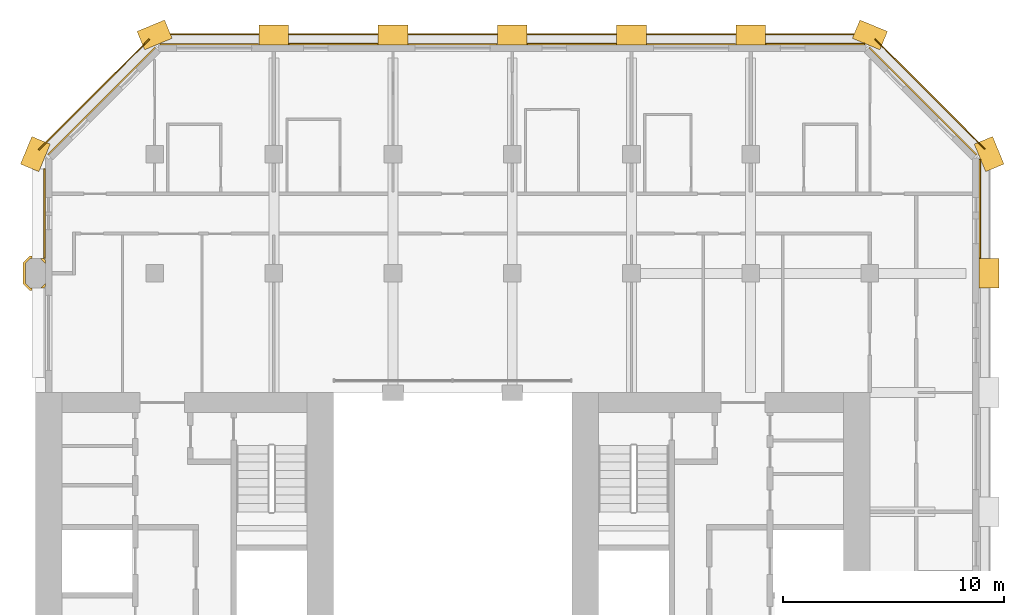
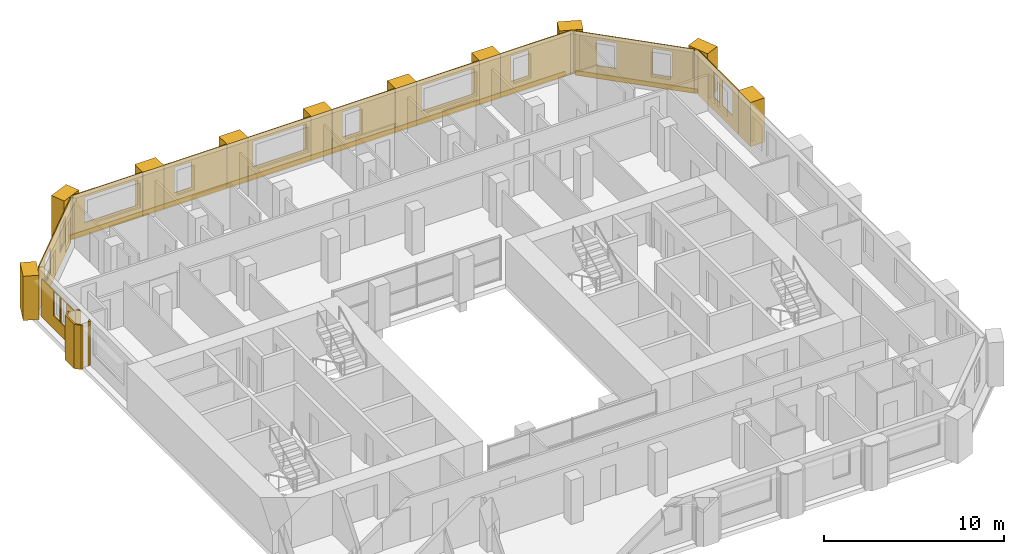
# One storey, part 12 of 12: 26 coverings.
"""IFC4 building model written with IfcOpenShell, lengths in metres."""

from ifc_helpers import new_model, si_unit, direction, frame, frame_2d, origin, place, context, subcontext, project, spatial, polyline, rectangle, outline, extrude, material, layer, layer_set, type_object, element, save


model = new_model("IFC4")

# Units and contexts
model_context = context("Model", 3, precision=1e-05, world=origin(), true_north=direction((0.0, 1.0)))
body_context = subcontext(model_context, "Body", "Model", "MODEL_VIEW")
ifc_project = project(units=[si_unit("LENGTHUNIT", "METRE"), si_unit("AREAUNIT", "SQUARE_METRE"), si_unit("VOLUMEUNIT", "CUBIC_METRE"), si_unit("PLANEANGLEUNIT", "RADIAN"), si_unit("MASSUNIT", "GRAM", prefix="KILO")], contexts=[model_context])

# Site, building, storey
site_placement = place(None, origin())
site = spatial("IfcSite", under=ifc_project, at=site_placement, CompositionType="ELEMENT")
building_placement = place(site_placement, origin())
building = spatial("IfcBuilding", under=site, at=building_placement, Name="Tabaq Tower and Sports Hall", CompositionType="ELEMENT")
storey_placement = place(building_placement, frame((0.0, 0.0, 190.60009765625)))
storey = spatial("IfcBuildingStorey", under=building, at=storey_placement, Name="L46", CompositionType="ELEMENT", Elevation=190.60009765625)

# Coverings
ifc_material_1 = material(Name="Precast concrete C60/75", Category="concrete")
ifc_layer_1 = layer(ifc_material_1, 0.10009765625)
ifc_layer_set_1 = layer_set([ifc_layer_1], Name="Column cladding 100")
covering_type_1 = type_object("IfcCoveringType", Name="Column cladding 100", PredefinedType="CLADDING", material=ifc_layer_set_1)
covering_1_placement = place(storey_placement, origin())
element("IfcCovering", 1, at=covering_1_placement, inside=storey, type_object=covering_type_1, Name="Column cladding L46 PC-2H-H2", PredefinedType="CLADDING", context=body_context, shape_type="SweptSolid", body=[
    extrude(outline(polyline([(5.1337890625, 37.025634765625), (4.8505859375, 37.308837890625), (4.8505859375, 38.291259765625), (5.1337890625, 38.574462890625), (5.24951171875, 38.574462890625), (5.24951171875, 38.4755859375), (5.1748046875, 38.4755859375), (4.949462890625, 38.250244140625), (4.949462890625, 37.349853515625), (5.1748046875, 37.12451171875), (5.24951171875, 37.12451171875), (5.24951171875, 37.025634765625), (5.1337890625, 37.025634765625)])), origin(), (0.0, 0.0, 1.0), 3.0),
])
covering_2_placement = place(storey_placement, origin())
element("IfcCovering", 2, at=covering_2_placement, inside=storey, type_object=covering_type_1, Name="Column cladding L46 PC-2H-H2 2", PredefinedType="CLADDING", context=body_context, shape_type="SweptSolid", body=[
    extrude(outline(polyline([(5.766357421875, 37.125244140625), (5.625732421875, 37.125244140625), (5.849609375, 37.349365234375), (5.849609375, 37.208740234375), (5.766357421875, 37.125244140625)])), origin(), (0.0, 0.0, 1.0), 3.0),
])
covering_3_placement = place(storey_placement, origin())
element("IfcCovering", 3, at=covering_3_placement, inside=storey, type_object=covering_type_1, Name="Column cladding L46 PC-2H-H2 3", PredefinedType="CLADDING", context=body_context, shape_type="SweptSolid", body=[
    extrude(outline(polyline([(5.62646484375, 38.474365234375), (5.76611328125, 38.474365234375), (5.849365234375, 38.39111328125), (5.849365234375, 38.25146484375), (5.62646484375, 38.474365234375)])), origin(), (0.0, 0.0, 1.0), 3.0),
])
ifc_material_2 = material(Name="Precast concrete C60/75", Category="concrete")
ifc_layer_2 = layer(ifc_material_2, 0.06005859375)
ifc_layer_set_2 = layer_set([ifc_layer_2], Name="Edge beam cladding 60")
covering_type_2 = type_object("IfcCoveringType", Name="Edge beam cladding 60", PredefinedType="CLADDING", material=ifc_layer_set_2)
covering_4_placement = place(storey_placement, frame((48.41015625, 43.432373046875, -0.300048828125), z_axis=(0.0, 0.0, 1.0), x_axis=(-0.707106781187, 0.707106781187, 0.0)))
element("IfcCovering", 4, at=covering_4_placement, inside=storey, type_object=covering_type_2, Name="Edge beam cladding L46 3", PredefinedType="CLADDING", context=body_context, shape_type="SweptSolid", body=[
    extrude(rectangle(XDim=7.03955078125, YDim=0.06005859375, at=frame_2d((3.519775390625, 0.0))), origin(), (0.0, 0.0, 1.0), 0.300048828125),
])
covering_5_placement = place(storey_placement, frame((42.9013671875, 48.6298828125, -0.300048828125), z_axis=(0.0, 0.0, 1.0), x_axis=(-1.0, 0.0, 0.0)))
element("IfcCovering", 5, at=covering_5_placement, inside=storey, type_object=covering_type_2, Name="Edge beam cladding L46 4", PredefinedType="CLADDING", context=body_context, shape_type="SweptSolid", body=[
    extrude(rectangle(XDim=31.802734375, YDim=0.06005859375, at=frame_2d((15.9013671875, 0.0))), origin(), (0.0, 0.0, 1.0), 0.300048828125),
])
covering_6_placement = place(storey_placement, frame((10.567626953125, 48.41015625, -0.300048828125), z_axis=(0.0, 0.0, 1.0), x_axis=(-0.707089559252, -0.707124002701, 0.0)))
element("IfcCovering", 6, at=covering_6_placement, inside=storey, type_object=covering_type_2, Name="Edge beam cladding L46 5", PredefinedType="CLADDING", context=body_context, shape_type="SweptSolid", body=[
    extrude(rectangle(XDim=7.088134765625, YDim=0.06005859375, at=frame_2d((3.5439453125, 0.0))), origin(), (0.0, 0.0, 1.0), 0.300048828125),
])
ifc_material_3 = material(Name="White precast concrete C60/75", Category="concrete")
covering_type_3 = type_object("IfcCoveringType", Name="Pier cladding hung 1350x900", PredefinedType="CLADDING", material=ifc_material_3)
for number, where, z_axis, x_axis, name in (
    (7, (5.658203125, 43.82373046875, 0.0), (0.0, 0.0, 1.0), (-0.382649923473, -0.923893411637, 0.0), "Hung pier cladding 1/8"),
    (8, (11.423583984375, 48.8583984375, 0.0), (0.0, 0.0, 1.0), (-0.923893411637, -0.382649923473, 0.0), "Hung pier cladding 2/9"),
    (9, (16.875, 48.60009765625, 0.0), (0.0, 0.0, 1.0), (-1.0, 0.0, 0.0), "Hung pier cladding 3/9"),
):
    element("IfcCovering", number, at=place(storey_placement, frame(where, z_axis=z_axis, x_axis=x_axis)), inside=storey, type_object=covering_type_3, Name=name, PredefinedType="CLADDING", context=body_context, shape_type="SweptSolid", body=[
        extrude(rectangle(XDim=1.35009765625, YDim=0.89990234375, at=frame_2d((0.675048828125, 0.0))), origin(), (0.0, 0.0, 1.0), 3.0),
    ])
covering_7_placement = place(storey_placement, frame((22.27490234375, 48.60009765625, 0.0), z_axis=(0.0, 0.0, 1.0), x_axis=(-1.0, 0.0, 0.0)))
element("IfcCovering", 10, at=covering_7_placement, inside=storey, type_object=covering_type_3, Name="Hung pier cladding 4/9", PredefinedType="CLADDING", context=body_context, shape_type="SweptSolid", body=[
    extrude(rectangle(XDim=1.349853515625, YDim=0.89990234375, at=frame_2d((0.6748046875, 0.0))), origin(), (0.0, 0.0, 1.0), 3.0),
])
covering_8_placement = place(storey_placement, frame((27.675048828125, 48.60009765625, 0.0), z_axis=(0.0, 0.0, 1.0), x_axis=(-1.0, 0.0, 0.0)))
element("IfcCovering", 11, at=covering_8_placement, inside=storey, type_object=covering_type_3, Name="Hung pier cladding 5/9", PredefinedType="CLADDING", context=body_context, shape_type="SweptSolid", body=[
    extrude(rectangle(XDim=1.35009765625, YDim=0.89990234375, at=frame_2d((0.675048828125, 0.0))), origin(), (0.0, 0.0, 1.0), 3.0),
])
covering_9_placement = place(storey_placement, frame((33.074951171875, 48.60009765625, 0.0), z_axis=(0.0, 0.0, 1.0), x_axis=(-1.0, 0.0, 0.0)))
element("IfcCovering", 12, at=covering_9_placement, inside=storey, type_object=covering_type_3, Name="Hung pier cladding 6/9", PredefinedType="CLADDING", context=body_context, shape_type="SweptSolid", body=[
    extrude(rectangle(XDim=1.349853515625, YDim=0.89990234375, at=frame_2d((0.6748046875, 0.0))), origin(), (0.0, 0.0, 1.0), 3.0),
])
for number, where, z_axis, x_axis, name in (
    (13, (38.47509765625, 48.60009765625, 0.0), (0.0, 0.0, 1.0), (-1.0, 0.0, 0.0), "Hung pier cladding 7/9"),
    (14, (43.82373046875, 48.341796875, 0.0), (0.0, 0.0, 1.0), (-0.923893411637, 0.382649923473, 0.0), "Hung pier cladding 8/9"),
    (15, (48.60009765625, 37.125, 0.0), (0.0, 0.0, 1.0), (0.0, 1.0, 0.0), "Hung pier cladding 9/7"),
    (16, (48.8583984375, 42.576416015625, 0.0), (0.0, 0.0, 1.0), (-0.382649923473, 0.923893411637, 0.0), "Hung pier cladding 9/8"),
):
    element("IfcCovering", number, at=place(storey_placement, frame(where, z_axis=z_axis, x_axis=x_axis)), inside=storey, type_object=covering_type_3, Name=name, PredefinedType="CLADDING", context=body_context, shape_type="SweptSolid", body=[
        extrude(rectangle(XDim=1.35009765625, YDim=0.89990234375, at=frame_2d((0.675048828125, 0.0))), origin(), (0.0, 0.0, 1.0), 3.0),
    ])
ifc_material_4 = material(Name="Precast concrete C60/75", Category="concrete")
ifc_layer_3 = layer(ifc_material_4, 0.06005859375)
ifc_layer_set_3 = layer_set([ifc_layer_3], Name="White precast cladding panel 60 C60/75")
covering_type_4 = type_object("IfcCoveringType", Name="White precast cladding panel 60 C60/75", PredefinedType="CLADDING", material=ifc_layer_set_3)
covering_10_placement = place(storey_placement, frame((48.179931640625, 38.485107421875, 0.0), z_axis=(0.0, 0.0, 1.0), x_axis=(0.0, 1.0, 0.0)))
element("IfcCovering", 17, at=covering_10_placement, inside=storey, type_object=covering_type_4, Name="White precast cladding panel L46 wall02 6", PredefinedType="CLADDING", context=body_context, shape_type="SweptSolid", body=[
    extrude(outline(polyline([(0.0, 0.0), (4.4716796875, 0.0), (4.4716796875, 3.0), (0.0, 3.0), (0.0, 0.0)]), holes=[polyline([(0.655029296875, 2.60986328125), (1.77490234375, 2.60986328125), (1.77490234375, 0.889892578125), (0.655029296875, 0.889892578125), (0.655029296875, 2.60986328125)]), polyline([(2.080078125, 2.60986328125), (2.75, 2.60986328125), (2.75, 0.889892578125), (2.080078125, 0.889892578125), (2.080078125, 2.60986328125)])]), frame((0.0, 0.030029296875, 0.0), z_axis=(0.0, -1.0, 0.0), x_axis=(1.0, 0.0, 0.0)), (0.0, 0.0, 1.0), 0.06005859375),
])
covering_11_placement = place(storey_placement, frame((48.0283203125, 43.177734375, 0.0), z_axis=(0.0, 0.0, 1.0), x_axis=(-0.707106781187, 0.707106781187, 0.0)))
element("IfcCovering", 18, at=covering_11_placement, inside=storey, type_object=covering_type_4, Name="White precast cladding panel L46 wall03", PredefinedType="CLADDING", context=body_context, shape_type="SweptSolid", body=[
    extrude(outline(polyline([(0.0, 0.0), (6.85986328125, 0.0), (6.85986328125, 3.0), (0.0, 3.0), (0.0, 0.0)]), holes=[polyline([(1.269775390625, 2.60986328125), (2.389892578125, 2.60986328125), (2.389892578125, 0.889892578125), (1.269775390625, 0.889892578125), (1.269775390625, 2.60986328125)]), polyline([(4.4697265625, 2.60986328125), (5.58984375, 2.60986328125), (5.58984375, 0.889892578125), (4.4697265625, 0.889892578125), (4.4697265625, 2.60986328125)])]), frame((0.0, 0.030029296875, 0.0), z_axis=(0.0, -1.0, 0.0), x_axis=(1.0, 0.0, 0.0)), (0.0, 0.0, 1.0), 0.06005859375),
])
covering_12_placement = place(storey_placement, frame((42.956787109375, 48.179931640625, 0.0), z_axis=(0.0, 0.0, 1.0), x_axis=(-1.0, 0.0, 0.0)))
element("IfcCovering", 19, at=covering_12_placement, inside=storey, type_object=covering_type_4, Name="White precast cladding panel L46 wall04", PredefinedType="CLADDING", context=body_context, shape_type="SweptSolid", body=[
    extrude(outline(polyline([(0.0, 0.0), (4.4716796875, 0.0), (4.4716796875, 3.0), (0.0, 3.0), (0.0, 0.0)]), holes=[polyline([(2.69677734375, 0.889892578125), (2.69677734375, 2.60986328125), (3.81689453125, 2.60986328125), (3.81689453125, 0.889892578125), (2.69677734375, 0.889892578125)])]), frame((0.0, 0.030029296875, 0.0), z_axis=(0.0, -1.0, 0.0), x_axis=(1.0, 0.0, 0.0)), (0.0, 0.0, 1.0), 0.06005859375),
])
covering_13_placement = place(storey_placement, frame((37.114990234375, 48.179931640625, 0.0), z_axis=(0.0, 0.0, 1.0), x_axis=(-1.0, 0.0, 0.0)))
element("IfcCovering", 20, at=covering_13_placement, inside=storey, type_object=covering_type_4, Name="White precast cladding panel L46 wall04 2", PredefinedType="CLADDING", context=body_context, shape_type="SweptSolid", body=[
    extrude(outline(polyline([(0.0, 0.0), (4.030029296875, 0.0), (4.030029296875, 3.0), (0.0, 3.0), (0.0, 0.0)]), holes=[polyline([(0.304931640625, 0.889892578125), (0.304931640625, 2.60986328125), (3.72509765625, 2.60986328125), (3.72509765625, 0.889892578125), (0.304931640625, 0.889892578125)])]), frame((0.0, 0.030029296875, 0.0), z_axis=(0.0, -1.0, 0.0), x_axis=(1.0, 0.0, 0.0)), (0.0, 0.0, 1.0), 0.06005859375),
])
covering_14_placement = place(storey_placement, frame((31.715087890625, 48.179931640625, 0.0), z_axis=(0.0, 0.0, 1.0), x_axis=(-1.0, 0.0, 0.0)))
element("IfcCovering", 21, at=covering_14_placement, inside=storey, type_object=covering_type_4, Name="White precast cladding panel L46 wall04 3", PredefinedType="CLADDING", context=body_context, shape_type="SweptSolid", body=[
    extrude(outline(polyline([(0.0, 0.0), (4.030029296875, 0.0), (4.030029296875, 3.0), (0.0, 3.0), (0.0, 0.0)]), holes=[polyline([(2.2548828125, 0.889892578125), (2.2548828125, 2.60986328125), (3.375, 2.60986328125), (3.375, 0.889892578125), (2.2548828125, 0.889892578125)])]), frame((0.0, 0.030029296875, 0.0), z_axis=(0.0, -1.0, 0.0), x_axis=(1.0, 0.0, 0.0)), (0.0, 0.0, 1.0), 0.06005859375),
])
covering_15_placement = place(storey_placement, frame((26.31494140625, 48.179931640625, 0.0), z_axis=(0.0, 0.0, 1.0), x_axis=(-1.0, 0.0, 0.0)))
element("IfcCovering", 22, at=covering_15_placement, inside=storey, type_object=covering_type_4, Name="White precast cladding panel L46 wall04 4", PredefinedType="CLADDING", context=body_context, shape_type="SweptSolid", body=[
    extrude(outline(polyline([(0.0, 0.0), (4.030029296875, 0.0), (4.030029296875, 3.0), (0.0, 3.0), (0.0, 0.0)]), holes=[polyline([(0.304931640625, 0.889892578125), (0.304931640625, 2.60986328125), (3.72509765625, 2.60986328125), (3.72509765625, 0.889892578125), (0.304931640625, 0.889892578125)])]), frame((0.0, 0.030029296875, 0.0), z_axis=(0.0, -1.0, 0.0), x_axis=(1.0, 0.0, 0.0)), (0.0, 0.0, 1.0), 0.06005859375),
])
covering_16_placement = place(storey_placement, frame((20.9150390625, 48.179931640625, 0.0), z_axis=(0.0, 0.0, 1.0), x_axis=(-1.0, 0.0, 0.0)))
element("IfcCovering", 23, at=covering_16_placement, inside=storey, type_object=covering_type_4, Name="White precast cladding panel L46 wall04 5", PredefinedType="CLADDING", context=body_context, shape_type="SweptSolid", body=[
    extrude(outline(polyline([(0.0, 0.0), (4.030029296875, 0.0), (4.030029296875, 3.0), (0.0, 3.0), (0.0, 0.0)]), holes=[polyline([(2.2548828125, 0.889892578125), (2.2548828125, 2.60986328125), (3.375, 2.60986328125), (3.375, 0.889892578125), (2.2548828125, 0.889892578125)])]), frame((0.0, 0.030029296875, 0.0), z_axis=(0.0, -1.0, 0.0), x_axis=(1.0, 0.0, 0.0)), (0.0, 0.0, 1.0), 0.06005859375),
])
covering_17_placement = place(storey_placement, frame((15.514892578125, 48.179931640625, 0.0), z_axis=(0.0, 0.0, 1.0), x_axis=(-1.0, 0.0, 0.0)))
element("IfcCovering", 24, at=covering_17_placement, inside=storey, type_object=covering_type_4, Name="White precast cladding panel L46 wall04 6", PredefinedType="CLADDING", context=body_context, shape_type="SweptSolid", body=[
    extrude(outline(polyline([(0.0, 0.0), (4.4716796875, 0.0), (4.4716796875, 3.0), (0.0, 3.0), (0.0, 0.0)]), holes=[polyline([(0.304931640625, 0.889892578125), (0.304931640625, 2.60986328125), (3.72509765625, 2.60986328125), (3.72509765625, 0.889892578125), (0.304931640625, 0.889892578125)])]), frame((0.0, 0.030029296875, 0.0), z_axis=(0.0, -1.0, 0.0), x_axis=(1.0, 0.0, 0.0)), (0.0, 0.0, 1.0), 0.06005859375),
])
covering_18_placement = place(storey_placement, frame((10.822265625, 48.0283203125, 0.0), z_axis=(0.0, 0.0, 1.0), x_axis=(-0.707106781187, -0.707106781187, 0.0)))
element("IfcCovering", 25, at=covering_18_placement, inside=storey, type_object=covering_type_4, Name="White precast cladding panel L46 wall05", PredefinedType="CLADDING", context=body_context, shape_type="SweptSolid", body=[
    extrude(outline(polyline([(0.0, 0.0), (6.85986328125, 0.0), (6.85986328125, 3.0), (0.0, 3.0), (0.0, 0.0)]), holes=[polyline([(1.269775390625, 2.60986328125), (2.389892578125, 2.60986328125), (2.389892578125, 0.889892578125), (1.269775390625, 0.889892578125), (1.269775390625, 2.60986328125)]), polyline([(4.4697265625, 2.60986328125), (5.58984375, 2.60986328125), (5.58984375, 0.889892578125), (4.4697265625, 0.889892578125), (4.4697265625, 2.60986328125)])]), frame((0.0, 0.030029296875, 0.0), z_axis=(0.0, -1.0, 0.0), x_axis=(1.0, 0.0, 0.0)), (0.0, 0.0, 1.0), 0.06005859375),
])
covering_19_placement = place(storey_placement, frame((5.820068359375, 42.534912109375, 0.0), z_axis=(0.0, 0.0, 1.0), x_axis=(0.0, -1.0, 0.0)))
element("IfcCovering", 26, at=covering_19_placement, inside=storey, type_object=covering_type_4, Name="White precast cladding panel L46 wall06", PredefinedType="CLADDING", context=body_context, shape_type="SweptSolid", body=[
    extrude(outline(polyline([(0.0, 0.0), (4.0498046875, 0.0), (4.0498046875, 2.58984375), (0.0, 2.58984375), (0.0, 0.0)]), holes=[polyline([(1.300048828125, 0.889892578125), (1.300048828125, 2.559814453125), (1.969970703125, 2.559814453125), (1.969970703125, 0.889892578125), (1.300048828125, 0.889892578125)]), polyline([(2.10009765625, 0.889892578125), (2.10009765625, 2.559814453125), (2.77001953125, 2.559814453125), (2.77001953125, 0.889892578125), (2.10009765625, 0.889892578125)])]), frame((0.0, 0.030029296875, 0.0), z_axis=(0.0, -1.0, 0.0), x_axis=(1.0, 0.0, 0.0)), (0.0, 0.0, 1.0), 0.06005859375),
])

save(model, "model.ifc")
